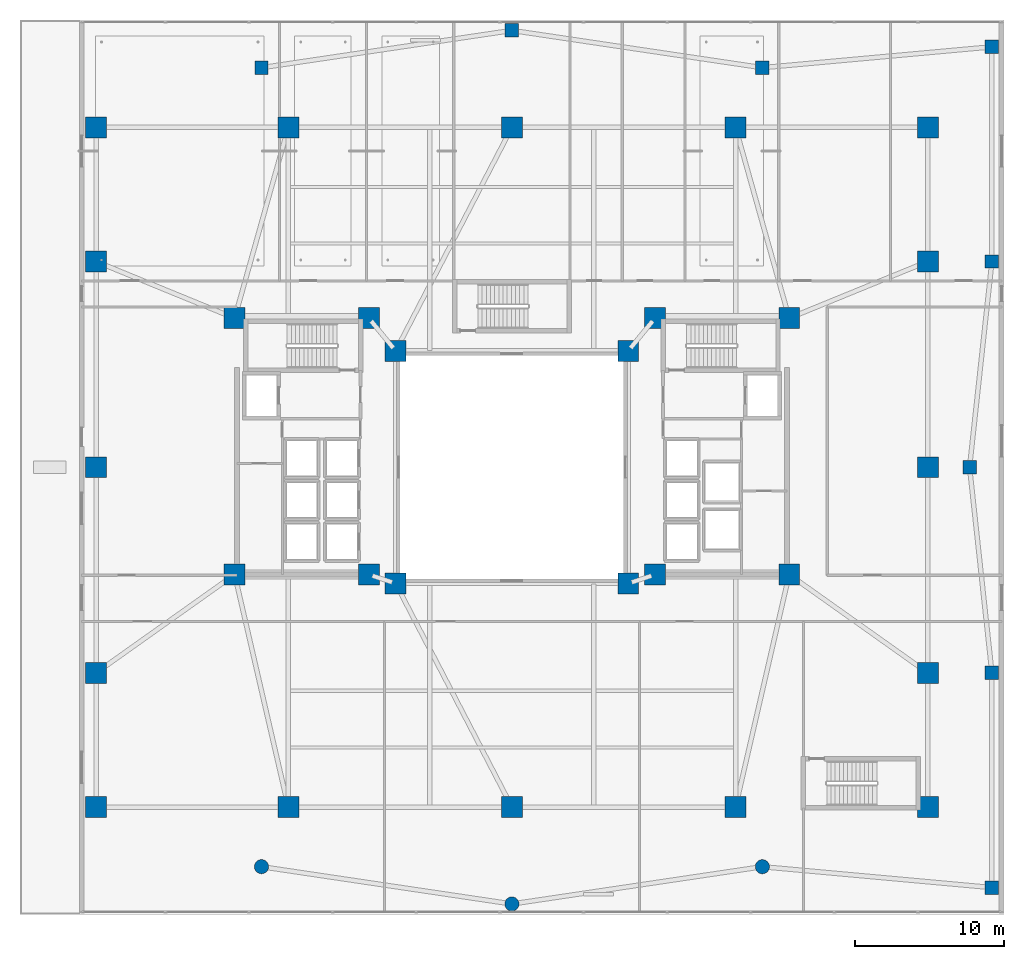
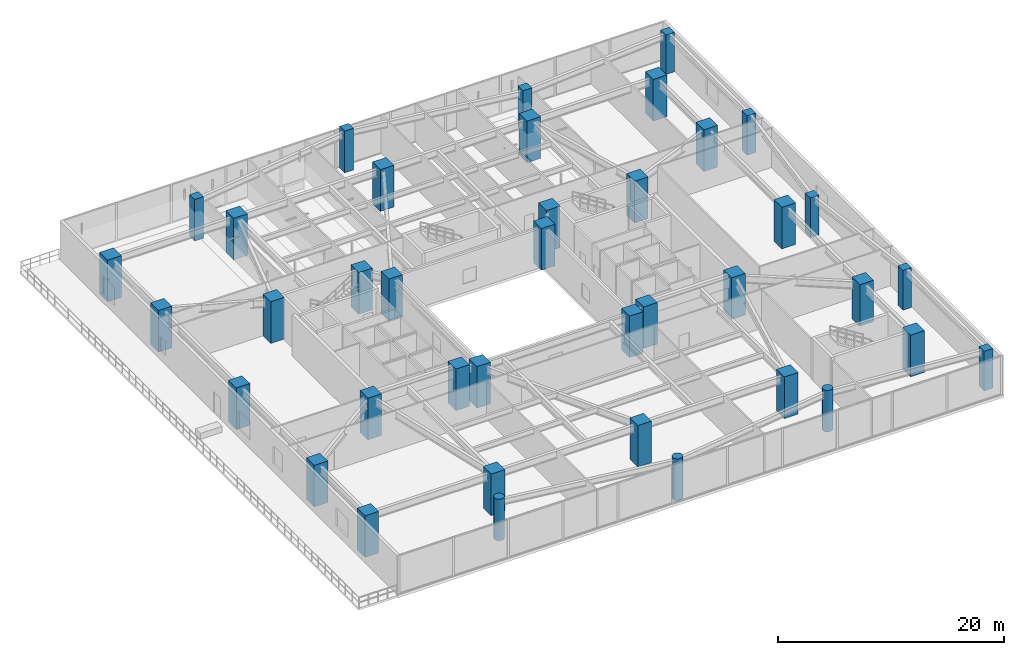
# One storey, part 1 of 29: 39 columns.
"""IFC4 building model written with IfcOpenShell, lengths in metres."""

from ifc_helpers import new_model, si_unit, direction, frame, origin, origin_2d, place, context, subcontext, project, spatial, rectangle, circle, extrude, material, material_profile, profile_set, type_object, element, save


model = new_model("IFC4")

# Units and contexts
model_context = context("Model", 3, precision=1e-05, world=origin(), true_north=direction((0.0, 1.0)))
body_context = subcontext(model_context, "Body", "Model", "MODEL_VIEW")
ifc_project = project(units=[si_unit("LENGTHUNIT", "METRE"), si_unit("AREAUNIT", "SQUARE_METRE"), si_unit("VOLUMEUNIT", "CUBIC_METRE"), si_unit("PLANEANGLEUNIT", "RADIAN"), si_unit("MASSUNIT", "GRAM", prefix="KILO")], contexts=[model_context])

# Site, building, storey
site_placement = place(None, origin())
site = spatial("IfcSite", under=ifc_project, at=site_placement, CompositionType="ELEMENT")
building_placement = place(site_placement, origin())
building = spatial("IfcBuilding", under=site, at=building_placement, Name="Tarnavaz Court Tower", CompositionType="ELEMENT")
storey_placement = place(building_placement, frame((0.0, 0.0, 5.39990234375)))
storey = spatial("IfcBuildingStorey", under=building, at=storey_placement, Name="L01", CompositionType="ELEMENT", Elevation=5.39990234375)

# Columns
ifc_material_1 = material(Name="Concrete C60/75", Category="concrete")
ifc_material_profile_1 = material_profile(ifc_material_1, rectangle(XDim=1.39990234375, YDim=1.39990234375, at=origin_2d()), Name="RC 1400X1400")
ifc_profile_set_1 = profile_set([ifc_material_profile_1], Name="Concrete C60/75")
column_type_1 = type_object("IfcColumnType", Name="CL-RC1400", PredefinedType="COLUMN", material=ifc_profile_set_1)
for number, where, z_axis, x_axis, name in (
    (1, (-7.800048828125, -7.800048828125, 0.0), (0.0, 0.0, 1.0), (1.0, 0.0, 0.0), "L01 Column IW-SW"),
    (2, (7.800048828125, -7.800048828125, 0.0), (0.0, 0.0, 1.0), (1.0, 0.0, 0.0), "L01 Column IW-SE"),
    (3, (-7.800048828125, 7.800048828125, 0.0), (0.0, 0.0, 1.0), (1.0, 0.0, 0.0), "L01 Column IW-NW"),
    (4, (7.800048828125, 7.800048828125, 0.0), (0.0, 0.0, 1.0), (1.0, 0.0, 0.0), "L01 Column IW-NE"),
    (5, (-9.60009765625, -7.199951171875, 0.0), (0.0, 0.0, 1.0), (1.0, 0.0, 0.0), "L01 Column CW-SI"),
    (6, (-9.60009765625, 10.0, 0.0), (0.0, 0.0, 1.0), (1.0, 0.0, 0.0), "L01 Column CW-NI"),
    (7, (9.60009765625, -7.199951171875, 0.0), (0.0, 0.0, 1.0), (1.0, 0.0, 0.0), "L01 Column CE-SI"),
    (8, (9.60009765625, 10.0, 0.0), (0.0, 0.0, 1.0), (1.0, 0.0, 0.0), "L01 Column CE-NI"),
    (9, (-18.60009765625, -7.199951171875, 0.0), (0.0, 0.0, 1.0), (1.0, 0.0, 0.0), "L01 Column CW-SO"),
    (10, (-18.60009765625, 10.0, 0.0), (0.0, 0.0, 1.0), (1.0, 0.0, 0.0), "L01 Column CW-NO"),
    (11, (18.60009765625, -7.199951171875, 0.0), (0.0, 0.0, 1.0), (1.0, 0.0, 0.0), "L01 Column CE-SO"),
    (12, (18.60009765625, 10.0, 0.0), (0.0, 0.0, 1.0), (1.0, 0.0, 0.0), "L01 Column CE-NO"),
    (13, (-27.89990234375, 22.800048828125, 0.0), (0.0, 0.0, 1.0), (1.0, 0.0, 0.0), "L01 Column PM-NW"),
    (14, (-15.0, 22.800048828125, 0.0), (0.0, 0.0, 1.0), (1.0, 0.0, 0.0), "L01 Column PM-N1"),
    (15, (0.0, 22.800048828125, 0.0), (0.0, 0.0, 1.0), (1.0, 0.0, 0.0), "L01 Column PM-N2"),
    (16, (15.0, 22.800048828125, 0.0), (0.0, 0.0, 1.0), (1.0, 0.0, 0.0), "L01 Column PM-N3"),
    (17, (27.89990234375, 22.800048828125, 0.0), (0.0, 0.0, 1.0), (1.0, 0.0, 0.0), "L01 Column PM-NE"),
    (18, (-27.89990234375, -22.800048828125, 0.0), (0.0, 0.0, 1.0), (1.0, 0.0, 0.0), "L01 Column PM-SW"),
    (19, (-15.0, -22.800048828125, 0.0), (0.0, 0.0, 1.0), (1.0, 0.0, 0.0), "L01 Column PM-S1"),
    (20, (0.0, -22.800048828125, 0.0), (0.0, 0.0, 1.0), (1.0, 0.0, 0.0), "L01 Column PM-S2"),
    (21, (15.0, -22.800048828125, 0.0), (0.0, 0.0, 1.0), (1.0, 0.0, 0.0), "L01 Column PM-S3"),
    (22, (27.89990234375, -22.800048828125, 0.0), (0.0, 0.0, 1.0), (1.0, 0.0, 0.0), "L01 Column PM-SE"),
    (23, (-27.89990234375, -13.800048828125, 0.0), (0.0, 0.0, 1.0), (1.0, 0.0, 0.0), "L01 Column PM-W1"),
    (24, (-27.89990234375, 0.0, 0.0), (0.0, 0.0, 1.0), (1.0, 0.0, 0.0), "L01 Column PM-W2"),
    (25, (-27.89990234375, 13.800048828125, 0.0), (0.0, 0.0, 1.0), (1.0, 0.0, 0.0), "L01 Column PM-W3"),
    (26, (27.89990234375, -13.800048828125, 0.0), (0.0, 0.0, 1.0), (1.0, 0.0, 0.0), "L01 Column PM-E1"),
    (27, (27.89990234375, 0.0, 0.0), (0.0, 0.0, 1.0), (1.0, 0.0, 0.0), "L01 Column PM-E2"),
    (28, (27.89990234375, 13.800048828125, 0.0), (0.0, 0.0, 1.0), (1.0, 0.0, 0.0), "L01 Column PM-E3"),
):
    element("IfcColumn", number, at=place(storey_placement, frame(where, z_axis=z_axis, x_axis=x_axis)), inside=storey, type_object=column_type_1, Name=name, PredefinedType="COLUMN", context=body_context, shape_type="SweptSolid", body=[
        extrude(rectangle(XDim=1.39990234375, YDim=1.39990234375, at=origin_2d()), origin(), (0.0, 0.0, 1.0), 4.5),
    ])
ifc_material_2 = material(Name="Concrete C50/60", Category="concrete")
ifc_material_profile_2 = material_profile(ifc_material_2, rectangle(XDim=0.89990234375, YDim=0.89990234375, at=origin_2d()), Name="RC 900X900")
ifc_profile_set_2 = profile_set([ifc_material_profile_2], Name="Concrete C50/60")
column_type_2 = type_object("IfcColumnType", Name="CL-RC900", PredefinedType="COLUMN", material=ifc_profile_set_2)
for number, where, z_axis, x_axis, name in (
    (29, (32.199951171875, -28.199951171875, 0.0), (0.0, 0.0, 1.0), (1.0, 0.0, 0.0), "L01 Column POD-SE1"),
    (30, (32.199951171875, -13.800048828125, 0.0), (0.0, 0.0, 1.0), (1.0, 0.0, 0.0), "L01 Column POD-E1"),
    (31, (30.699951171875, 0.0, 0.0), (0.0, 0.0, 1.0), (1.0, 0.0, 0.0), "L01 Column POD-E2"),
    (32, (32.199951171875, 13.800048828125, 0.0), (0.0, 0.0, 1.0), (1.0, 0.0, 0.0), "L01 Column POD-E3"),
    (33, (32.199951171875, 28.199951171875, 0.0), (0.0, 0.0, 1.0), (1.0, 0.0, 0.0), "L01 Column POD-NE1"),
):
    element("IfcColumn", number, at=place(storey_placement, frame(where, z_axis=z_axis, x_axis=x_axis)), inside=storey, type_object=column_type_2, Name=name, PredefinedType="COLUMN", context=body_context, shape_type="SweptSolid", body=[
        extrude(rectangle(XDim=0.89990234375, YDim=0.89990234375, at=origin_2d()), origin(), (0.0, 0.0, 1.0), 4.280029296875),
    ])
for number, where, z_axis, x_axis, name in (
    (34, (-16.800048828125, 26.800048828125, 0.0), (0.0, 0.0, 1.0), (1.0, 0.0, 0.0), "L01 Column POD-N1"),
    (35, (0.0, 29.300048828125, 0.0), (0.0, 0.0, 1.0), (1.0, 0.0, 0.0), "L01 Column POD-N2"),
    (36, (16.800048828125, 26.800048828125, 0.0), (0.0, 0.0, 1.0), (1.0, 0.0, 0.0), "L01 Column POD-N3"),
):
    element("IfcColumn", number, at=place(storey_placement, frame(where, z_axis=z_axis, x_axis=x_axis)), inside=storey, type_object=column_type_2, Name=name, PredefinedType="COLUMN", context=body_context, shape_type="SweptSolid", body=[
        extrude(rectangle(XDim=0.89990234375, YDim=0.89990234375, at=origin_2d()), origin(), (0.0, 0.0, 1.0), 4.5),
    ])
ifc_material_profile_3 = material_profile(ifc_material_1, circle(Radius=0.47509765625, at=origin_2d()), Name="RC D950")
ifc_profile_set_3 = profile_set([ifc_material_profile_3], Name="Concrete C60/75")
column_type_3 = type_object("IfcColumnType", Name="CL-RCD950", PredefinedType="PILASTER", material=ifc_profile_set_3)
for number, where, z_axis, x_axis, name in (
    (37, (-16.800048828125, -26.800048828125, 0.0), (0.0, 0.0, 1.0), (1.0, 0.0, 0.0), "L01 Column POD-S1"),
    (38, (0.0, -29.300048828125, 0.0), (0.0, 0.0, 1.0), (1.0, 0.0, 0.0), "L01 Column POD-S2"),
    (39, (16.800048828125, -26.800048828125, 0.0), (0.0, 0.0, 1.0), (1.0, 0.0, 0.0), "L01 Column POD-S3"),
):
    element("IfcColumn", number, at=place(storey_placement, frame(where, z_axis=z_axis, x_axis=x_axis)), inside=storey, type_object=column_type_3, Name=name, PredefinedType="PILASTER", context=body_context, shape_type="SweptSolid", body=[
        extrude(circle(Radius=0.47509765625, at=origin_2d()), origin(), (0.0, 0.0, 1.0), 4.5),
    ])

save(model, "model.ifc")
